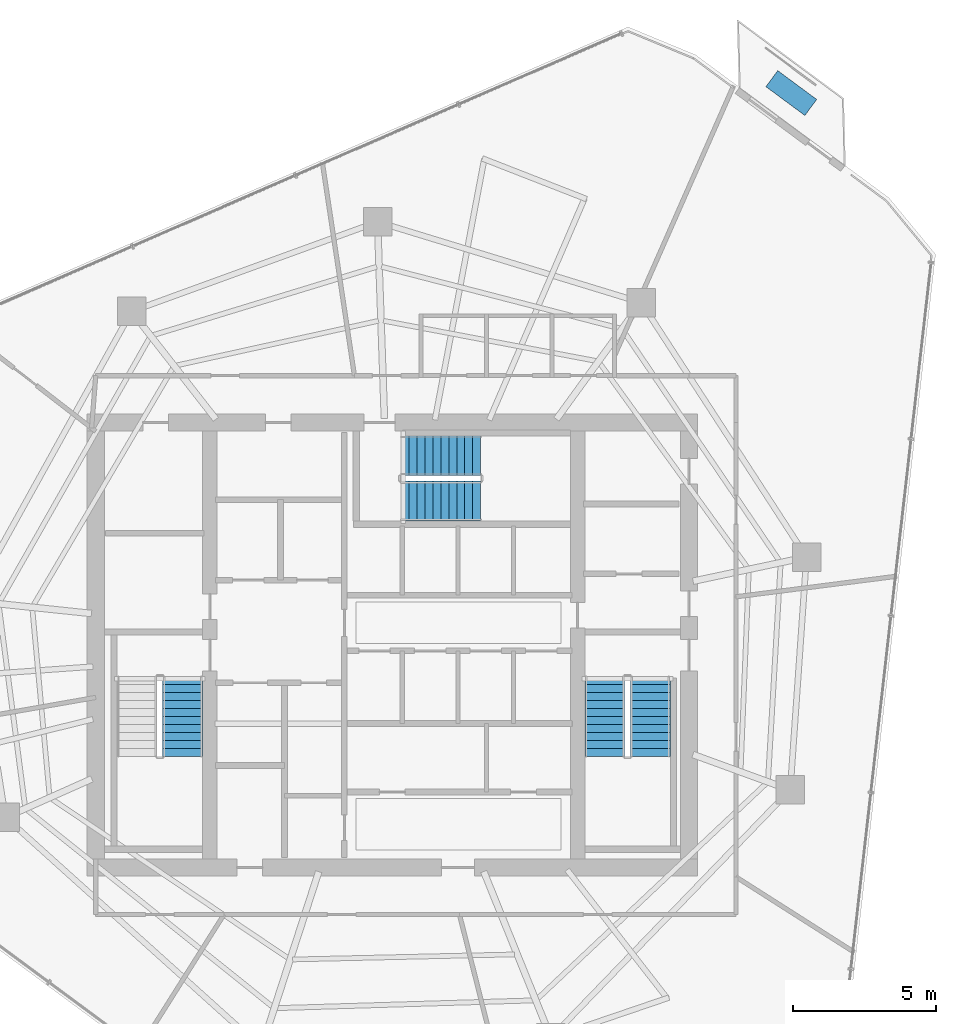
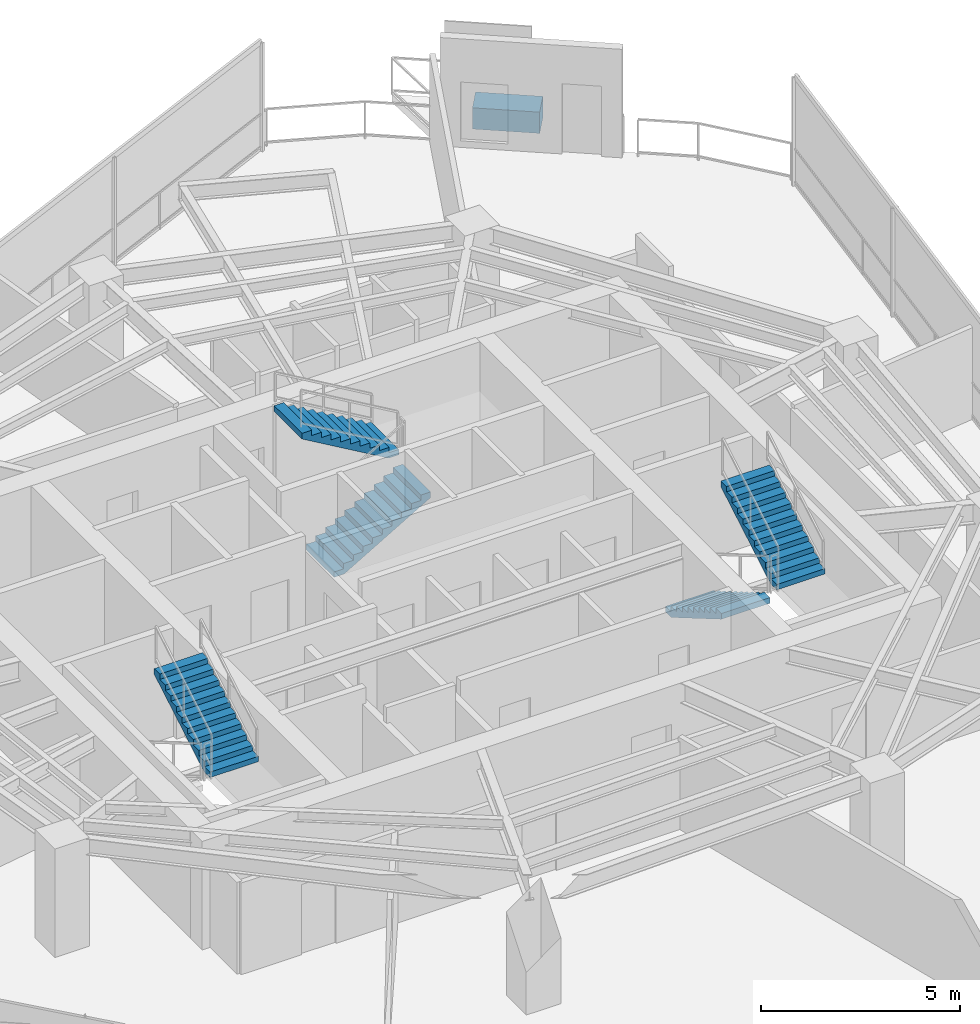
# One storey, part 20 of 22: 5 stair flights, 1 discrete accessory, 3 elements without a shape of their own.
"""IFC4 building model written with IfcOpenShell, lengths in metres."""

from ifc_helpers import new_model, si_unit, direction, frame, origin, origin_2d, place, context, subcontext, project, spatial, polyline, rectangle, outline, extrude, material, type_object, element, aggregate, save


model = new_model("IFC4")

# Units and contexts
model_context = context("Model", 3, precision=1e-05, world=origin(), true_north=direction((0.0, 1.0)))
body_context = subcontext(model_context, "Body", "Model", "MODEL_VIEW")
ifc_project = project(units=[si_unit("LENGTHUNIT", "METRE"), si_unit("AREAUNIT", "SQUARE_METRE"), si_unit("VOLUMEUNIT", "CUBIC_METRE"), si_unit("PLANEANGLEUNIT", "RADIAN"), si_unit("MASSUNIT", "GRAM", prefix="KILO")], contexts=[model_context])

# Site, building, storey
site_placement = place(None, origin())
site = spatial("IfcSite", under=ifc_project, at=site_placement, CompositionType="ELEMENT")
building_placement = place(site_placement, origin())
building = spatial("IfcBuilding", under=site, at=building_placement, Name="Qarnah Convention Tower", CompositionType="ELEMENT")
storey_placement = place(building_placement, frame((0.0, 0.0, 154.5)))
storey = spatial("IfcBuildingStorey", under=building, at=storey_placement, Name="L41", CompositionType="ELEMENT", Elevation=154.5)

# Stair, stair flight
ifc_material_1 = material(Name="Concrete C50/60", Category="concrete")
stair_type = type_object("IfcStairType", Name="STR-OFF", PredefinedType="HALF_TURN_STAIR", material=ifc_material_1)
stair_1_placement = place(storey_placement, origin())
stair_1 = element("IfcStair", 1, at=stair_1_placement, inside=storey, type_object=stair_type, Name="L41 Core exit stair ST-1", PredefinedType="HALF_TURN_STAIR")
stair_flight_type = type_object("IfcStairFlightType", Name="FLT-OFF", PredefinedType="STRAIGHT", material=ifc_material_1)
stair_flight_1_placement = place(storey_placement, frame((29.85009765625, 22.5, 1.800048828125), z_axis=(0.0, 0.0, 1.0), x_axis=(0.0, 1.0, 0.0)))
stair_flight_1 = element("IfcStairFlight", 2, at=stair_flight_1_placement, type_object=stair_flight_type, Name="ST-1 flight 2", NumberOfRisers=11, NumberOfTreads=10, PredefinedType="STRAIGHT", RiserHeight=0.163636364, TreadLength=0.28, context=body_context, shape_type="SweptSolid", body=[
    extrude(outline(polyline([(0.0, 0.0), (0.0, 0.16357421875), (0.280029296875, 0.16357421875), (0.280029296875, 0.327392578125), (0.56005859375, 0.327392578125), (0.56005859375, 0.490966796875), (0.840087890625, 0.490966796875), (0.840087890625, 0.654541015625), (1.1201171875, 0.654541015625), (1.1201171875, 0.818115234375), (1.39990234375, 0.818115234375), (1.39990234375, 0.98193359375), (1.679931640625, 0.98193359375), (1.679931640625, 1.1455078125), (1.9599609375, 1.1455078125), (1.9599609375, 1.30908203125), (2.239990234375, 1.30908203125), (2.239990234375, 1.47265625), (2.52001953125, 1.47265625), (2.52001953125, 1.636474609375), (2.800048828125, 1.636474609375), (2.800048828125, 1.800048828125), (2.800048828125, 1.462646484375), (0.297119140625, 0.0), (0.0, 0.0)])), frame((0.0, 0.699951171875, 0.0), z_axis=(0.0, -1.0, 0.0), x_axis=(1.0, 0.0, 0.0)), (0.0, 0.0, 1.0), 1.39990234375),
])
aggregate(stair_1, [stair_flight_1])

# Stair, stair flights
stair_2_placement = place(storey_placement, origin())
stair_2 = element("IfcStair", 3, at=stair_2_placement, inside=storey, type_object=stair_type, Name="L41 Core exit stair ST-2", PredefinedType="HALF_TURN_STAIR")
stair_flight_2_placement = place(storey_placement, frame((44.64990234375, 25.300048828125, 0.0), z_axis=(0.0, 0.0, 1.0), x_axis=(0.0, -1.0, 0.0)))
stair_flight_2 = element("IfcStairFlight", 4, at=stair_flight_2_placement, type_object=stair_flight_type, Name="ST-2 flight 1", NumberOfRisers=11, NumberOfTreads=10, PredefinedType="STRAIGHT", RiserHeight=0.163636364, TreadLength=0.28, context=body_context, shape_type="SweptSolid", body=[
    extrude(outline(polyline([(0.0, 0.0), (0.0, 0.16357421875), (0.280029296875, 0.16357421875), (0.280029296875, 0.327392578125), (0.56005859375, 0.327392578125), (0.56005859375, 0.490966796875), (0.840087890625, 0.490966796875), (0.840087890625, 0.654541015625), (1.1201171875, 0.654541015625), (1.1201171875, 0.818115234375), (1.39990234375, 0.818115234375), (1.39990234375, 0.98193359375), (1.679931640625, 0.98193359375), (1.679931640625, 1.1455078125), (1.9599609375, 1.1455078125), (1.9599609375, 1.30908203125), (2.239990234375, 1.30908203125), (2.239990234375, 1.47265625), (2.52001953125, 1.47265625), (2.52001953125, 1.636474609375), (2.800048828125, 1.636474609375), (2.800048828125, 1.800048828125), (2.800048828125, 1.462646484375), (0.297119140625, 0.0), (0.0, 0.0)])), frame((0.0, 0.699951171875, 0.0), z_axis=(0.0, -1.0, 0.0), x_axis=(1.0, 0.0, 0.0)), (0.0, 0.0, 1.0), 1.39990234375),
])
stair_flight_3_placement = place(storey_placement, frame((46.25, 22.5, 1.800048828125), z_axis=(0.0, 0.0, 1.0), x_axis=(0.0, 1.0, 0.0)))
stair_flight_3 = element("IfcStairFlight", 5, at=stair_flight_3_placement, type_object=stair_flight_type, Name="ST-2 flight 2", NumberOfRisers=11, NumberOfTreads=10, PredefinedType="STRAIGHT", RiserHeight=0.163636364, TreadLength=0.28, context=body_context, shape_type="SweptSolid", body=[
    extrude(outline(polyline([(0.0, 0.0), (0.0, 0.16357421875), (0.280029296875, 0.16357421875), (0.280029296875, 0.327392578125), (0.56005859375, 0.327392578125), (0.56005859375, 0.490966796875), (0.840087890625, 0.490966796875), (0.840087890625, 0.654541015625), (1.1201171875, 0.654541015625), (1.1201171875, 0.818115234375), (1.39990234375, 0.818115234375), (1.39990234375, 0.98193359375), (1.679931640625, 0.98193359375), (1.679931640625, 1.1455078125), (1.9599609375, 1.1455078125), (1.9599609375, 1.30908203125), (2.239990234375, 1.30908203125), (2.239990234375, 1.47265625), (2.52001953125, 1.47265625), (2.52001953125, 1.636474609375), (2.800048828125, 1.636474609375), (2.800048828125, 1.800048828125), (2.800048828125, 1.462646484375), (0.297119140625, 0.0), (0.0, 0.0)])), frame((0.0, 0.699951171875, 0.0), z_axis=(0.0, -1.0, 0.0), x_axis=(1.0, 0.0, 0.0)), (0.0, 0.0, 1.0), 1.39990234375),
])
aggregate(stair_2, [stair_flight_2, stair_flight_3])

stair_3_placement = place(storey_placement, origin())
stair_3 = element("IfcStair", 6, at=stair_3_placement, inside=storey, type_object=stair_type, Name="L41 Core exit stair ST-3", PredefinedType="HALF_TURN_STAIR")
stair_flight_4_placement = place(storey_placement, frame((37.5, 31.449951171875, 0.0), z_axis=(0.0, 0.0, 1.0), x_axis=(1.0, 0.0, 0.0)))
stair_flight_4 = element("IfcStairFlight", 7, at=stair_flight_4_placement, type_object=stair_flight_type, Name="ST-3 flight 1", NumberOfRisers=11, NumberOfTreads=10, PredefinedType="STRAIGHT", RiserHeight=0.163636364, TreadLength=0.28, context=body_context, shape_type="SweptSolid", body=[
    extrude(outline(polyline([(0.0, 0.0), (0.0, 0.16357421875), (0.280029296875, 0.16357421875), (0.280029296875, 0.327392578125), (0.56005859375, 0.327392578125), (0.56005859375, 0.490966796875), (0.840087890625, 0.490966796875), (0.840087890625, 0.654541015625), (1.1201171875, 0.654541015625), (1.1201171875, 0.818115234375), (1.39990234375, 0.818115234375), (1.39990234375, 0.98193359375), (1.679931640625, 0.98193359375), (1.679931640625, 1.1455078125), (1.9599609375, 1.1455078125), (1.9599609375, 1.30908203125), (2.239990234375, 1.30908203125), (2.239990234375, 1.47265625), (2.52001953125, 1.47265625), (2.52001953125, 1.636474609375), (2.800048828125, 1.636474609375), (2.800048828125, 1.800048828125), (2.800048828125, 1.462646484375), (0.297119140625, 0.0), (0.0, 0.0)])), frame((0.0, 0.699951171875, 0.0), z_axis=(0.0, -1.0, 0.0), x_axis=(1.0, 0.0, 0.0)), (0.0, 0.0, 1.0), 1.39990234375),
])
stair_flight_5_placement = place(storey_placement, frame((40.300048828125, 33.050048828125, 1.800048828125), z_axis=(0.0, 0.0, 1.0), x_axis=(-1.0, 0.0, 0.0)))
stair_flight_5 = element("IfcStairFlight", 8, at=stair_flight_5_placement, type_object=stair_flight_type, Name="ST-3 flight 2", NumberOfRisers=11, NumberOfTreads=10, PredefinedType="STRAIGHT", RiserHeight=0.163636364, TreadLength=0.28, context=body_context, shape_type="SweptSolid", body=[
    extrude(outline(polyline([(0.0, 0.0), (0.0, 0.16357421875), (0.280029296875, 0.16357421875), (0.280029296875, 0.327392578125), (0.56005859375, 0.327392578125), (0.56005859375, 0.490966796875), (0.840087890625, 0.490966796875), (0.840087890625, 0.654541015625), (1.1201171875, 0.654541015625), (1.1201171875, 0.818115234375), (1.39990234375, 0.818115234375), (1.39990234375, 0.98193359375), (1.679931640625, 0.98193359375), (1.679931640625, 1.1455078125), (1.9599609375, 1.1455078125), (1.9599609375, 1.30908203125), (2.239990234375, 1.30908203125), (2.239990234375, 1.47265625), (2.52001953125, 1.47265625), (2.52001953125, 1.636474609375), (2.800048828125, 1.636474609375), (2.800048828125, 1.800048828125), (2.800048828125, 1.462646484375), (0.297119140625, 0.0), (0.0, 0.0)])), frame((0.0, 0.699951171875, 0.0), z_axis=(0.0, -1.0, 0.0), x_axis=(1.0, 0.0, 0.0)), (0.0, 0.0, 1.0), 1.39990234375),
])
aggregate(stair_3, [stair_flight_4, stair_flight_5])

# Discrete accessory
ifc_material_2 = material(Name="Precast concrete C45/55", Category="concrete")
discrete_accessory_type = type_object("IfcDiscreteAccessoryType", Name="ACC-PLANTER-900", PredefinedType="USERDEFINED", material=ifc_material_2)
discrete_accessory_placement = place(storey_placement, frame((51.19189453125, 45.759033203125, 0.0), z_axis=(0.0, 0.0, 1.0), x_axis=(-0.804064443961, 0.59454215154, 0.0)))
element("IfcDiscreteAccessory", 9, at=discrete_accessory_placement, inside=storey, type_object=discrete_accessory_type, Name="L41 irrigated desert balcony PLANTER BAL-L41-C1", ObjectType="PLANTER", PredefinedType="USERDEFINED", context=body_context, shape_type="SweptSolid", body=[
    extrude(rectangle(XDim=1.699951171875, YDim=0.699951171875, at=origin_2d()), origin(), (0.0, 0.0, 1.0), 0.64990234375),
])

save(model, "model.ifc")
